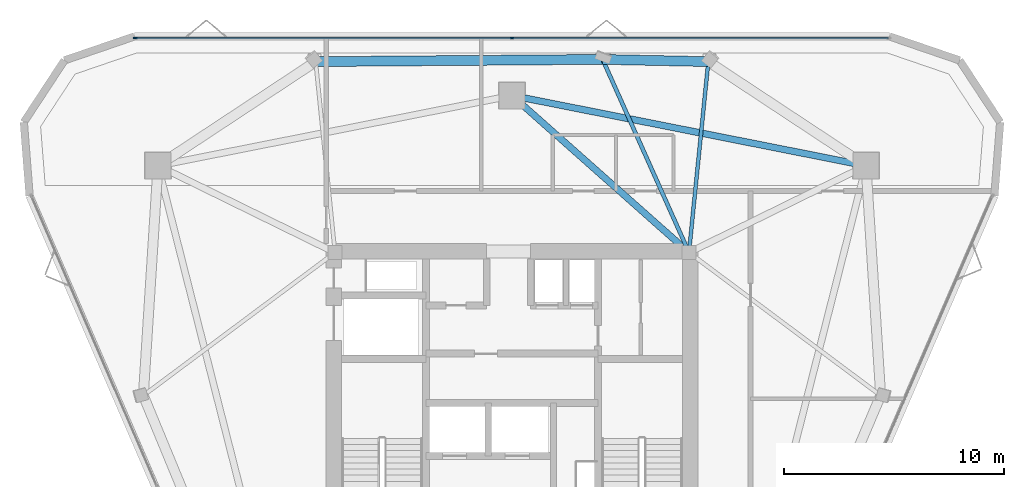
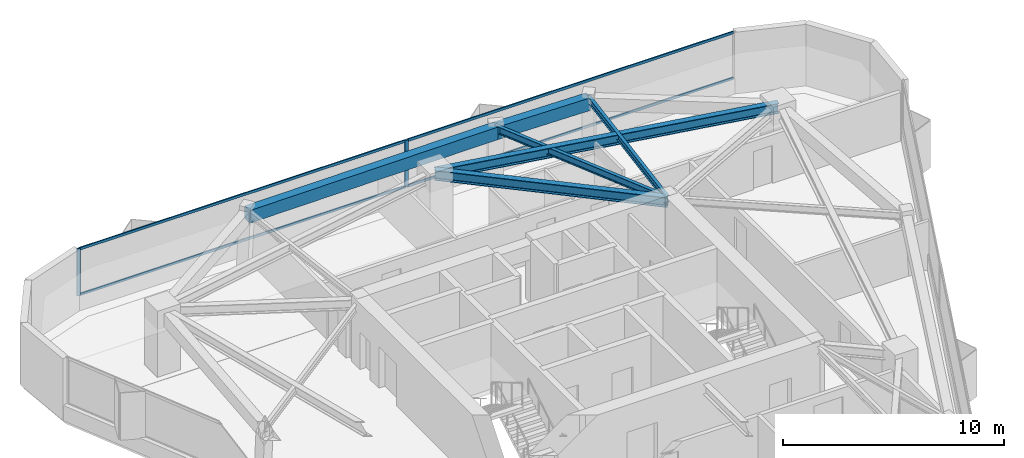
# One storey, part 6 of 12: 6 beams, 6 members, 1 element without a shape of its own.
"""IFC4 building model written with IfcOpenShell, lengths in metres."""

from ifc_helpers import new_model, si_unit, direction, frame, origin, origin_2d, place, context, subcontext, project, spatial, rectangle, i_section, extrude, material, layer, layer_set, material_profile, profile_set, type_object, element, aggregate, save


model = new_model("IFC4")

# Units and contexts
model_context = context("Model", 3, precision=1e-05, world=origin(), true_north=direction((0.0, 1.0)))
body_context = subcontext(model_context, "Body", "Model", "MODEL_VIEW")
ifc_project = project(units=[si_unit("LENGTHUNIT", "METRE"), si_unit("AREAUNIT", "SQUARE_METRE"), si_unit("VOLUMEUNIT", "CUBIC_METRE"), si_unit("PLANEANGLEUNIT", "RADIAN"), si_unit("MASSUNIT", "GRAM", prefix="KILO")], contexts=[model_context])

# Site, building, storey
site_placement = place(None, origin())
site = spatial("IfcSite", under=ifc_project, at=site_placement, CompositionType="ELEMENT")
building_placement = place(site_placement, origin())
building = spatial("IfcBuilding", under=site, at=building_placement, Name="Talyreon Biosciences Tower", CompositionType="ELEMENT")
storey_placement = place(building_placement, frame((0.0, 0.0, 268.10009765625)))
storey = spatial("IfcBuildingStorey", under=building, at=storey_placement, Name="L71", CompositionType="ELEMENT", Elevation=268.10009765625)

# Curtain wall, members
ifc_material_1 = material(Name="Thermally broken aluminium and low-E glazing", Category="aluminium")
ifc_layer = layer(ifc_material_1, 0.175048828125)
ifc_layer_set = layer_set([ifc_layer], Name="Thermally broken aluminium and low-E glazing")
curtain_wall_type = type_object("IfcCurtainWallType", Name="CurtainWall_Zone5CompLab", PredefinedType="NOTDEFINED", material=ifc_layer_set)
curtain_wall_placement = place(storey_placement, origin())
curtain_wall = element("IfcCurtainWall", 1, at=curtain_wall_placement, inside=storey, type_object=curtain_wall_type, Name="L71 Unitised Curtain Wall FCW-L71-04", PredefinedType="NOTDEFINED")
ifc_material_2 = material(Name="Anodised thermally broken aluminium", Category="aluminium")
ifc_material_profile_1 = material_profile(ifc_material_2, rectangle(XDim=0.06494140625, YDim=0.179931640625, at=origin_2d()), Name="ALUM MULLION 65x180")
ifc_profile_set_1 = profile_set([ifc_material_profile_1], Name="Anodised thermally broken aluminium")
member_type_1 = type_object("IfcMemberType", Name="CWMullion_65x180", PredefinedType="MULLION", material=ifc_profile_set_1)
member_1_placement = place(storey_placement, frame((48.859375, 84.404052734375, 0.809814453125), z_axis=(0.0, 0.0, 1.0), x_axis=(0.0, 1.0, 0.0)))
member_1 = element("IfcMember", 2, at=member_1_placement, type_object=member_type_1, Name="CW6 mullion 1", PredefinedType="MULLION", context=body_context, shape_type="SweptSolid", body=[
    extrude(rectangle(XDim=0.06494140625, YDim=0.179931640625, at=origin_2d()), origin(), (0.0, 0.0, 1.0), 2.590087890625),
])
member_2_placement = place(storey_placement, frame((66.0, 84.404052734375, 0.809814453125), z_axis=(0.0, 0.0, 1.0), x_axis=(0.0, 1.0, 0.0)))
member_2 = element("IfcMember", 3, at=member_2_placement, type_object=member_type_1, Name="CW6 mullion 2", PredefinedType="MULLION", context=body_context, shape_type="SweptSolid", body=[
    extrude(rectangle(XDim=0.06494140625, YDim=0.179931640625, at=origin_2d()), origin(), (0.0, 0.0, 1.0), 2.590087890625),
])
ifc_material_profile_2 = material_profile(ifc_material_2, rectangle(XDim=0.06494140625, YDim=0.139892578125, at=origin_2d()), Name="ALUM TRANSOM 65x140")
ifc_profile_set_2 = profile_set([ifc_material_profile_2], Name="Anodised thermally broken aluminium")
member_type_2 = type_object("IfcMemberType", Name="CWTransom_65x140", PredefinedType="USERDEFINED", material=ifc_profile_set_2)
member_3_placement = place(storey_placement, frame((48.891845703125, 84.404052734375, 0.84228515625), z_axis=(1.0, 0.0, 0.0), x_axis=(0.0, 1.0, 0.0)))
member_3 = element("IfcMember", 4, at=member_3_placement, type_object=member_type_2, Name="CW6 transom 1.1", ObjectType="TRANSOM", PredefinedType="USERDEFINED", context=body_context, shape_type="SweptSolid", body=[
    extrude(rectangle(XDim=0.06494140625, YDim=0.139892578125, at=origin_2d()), origin(), (0.0, 0.0, 1.0), 17.07568359375),
])
member_4_placement = place(storey_placement, frame((48.891845703125, 84.404052734375, 3.367431640625), z_axis=(1.0, 0.0, 0.0), x_axis=(0.0, 1.0, 0.0)))
member_4 = element("IfcMember", 5, at=member_4_placement, type_object=member_type_2, Name="CW6 transom 1.2", ObjectType="TRANSOM", PredefinedType="USERDEFINED", context=body_context, shape_type="SweptSolid", body=[
    extrude(rectangle(XDim=0.06494140625, YDim=0.139892578125, at=origin_2d()), origin(), (0.0, 0.0, 1.0), 17.07568359375),
])
member_5_placement = place(storey_placement, frame((66.032470703125, 84.404052734375, 0.84228515625), z_axis=(1.0, 0.0, 0.0), x_axis=(0.0, 1.0, 0.0)))
member_5 = element("IfcMember", 6, at=member_5_placement, type_object=member_type_2, Name="CW6 transom 2.1", ObjectType="TRANSOM", PredefinedType="USERDEFINED", context=body_context, shape_type="SweptSolid", body=[
    extrude(rectangle(XDim=0.06494140625, YDim=0.139892578125, at=origin_2d()), origin(), (0.0, 0.0, 1.0), 17.07568359375),
])
member_6_placement = place(storey_placement, frame((66.032470703125, 84.404052734375, 3.367431640625), z_axis=(1.0, 0.0, 0.0), x_axis=(0.0, 1.0, 0.0)))
member_6 = element("IfcMember", 7, at=member_6_placement, type_object=member_type_2, Name="CW6 transom 2.2", ObjectType="TRANSOM", PredefinedType="USERDEFINED", context=body_context, shape_type="SweptSolid", body=[
    extrude(rectangle(XDim=0.06494140625, YDim=0.139892578125, at=origin_2d()), origin(), (0.0, 0.0, 1.0), 17.07568359375),
])
aggregate(curtain_wall, [member_1, member_2, member_3, member_4, member_5, member_6])

# Beams
ifc_material_3 = material(Name="Precast concrete C45/55", Category="concrete")
ifc_material_profile_3 = material_profile(ifc_material_3, rectangle(XDim=0.449951171875, YDim=0.699951171875, at=origin_2d()), Name="RCB 450x700")
ifc_profile_set_3 = profile_set([ifc_material_profile_3], Name="Precast concrete C45/55")
beam_type_1 = type_object("IfcBeamType", Name="ExpressedSpandrel_450x700", PredefinedType="SPANDREL", material=ifc_profile_set_3)
beam_1_placement = place(storey_placement, frame((74.929931640625, 83.333984375, 3.0498046875), z_axis=(-0.999783386949, 0.020812957027, 0.0), x_axis=(-0.020812957027, -0.999783386949, 0.0)))
element("IfcBeam", 8, at=beam_1_placement, inside=storey, type_object=beam_type_1, Name="L71 Expressed Horizontal Concrete Spandrel 06", PredefinedType="SPANDREL", context=body_context, shape_type="SweptSolid", body=[
    extrude(rectangle(XDim=0.449951171875, YDim=0.699951171875, at=origin_2d()), origin(), (0.0, 0.0, 1.0), 4.809326171875),
])
beam_2_placement = place(storey_placement, frame((70.12158203125, 83.43408203125, 3.0498046875), z_axis=(-0.999970591227, -0.00766920336, 0.0), x_axis=(0.00766920336, -0.999970591227, 0.0)))
element("IfcBeam", 9, at=beam_2_placement, inside=storey, type_object=beam_type_1, Name="L71 Expressed Horizontal Concrete Spandrel 07", PredefinedType="SPANDREL", context=body_context, shape_type="SweptSolid", body=[
    extrude(rectangle(XDim=0.449951171875, YDim=0.699951171875, at=origin_2d()), origin(), (0.0, 0.0, 1.0), 13.052001953125),
])
ifc_material_4 = material(Name="Steel SM355", Category="steel")
ifc_material_profile_4 = material_profile(ifc_material_4, i_section(OverallWidth=0.300048828125, OverallDepth=0.550048828125, WebThickness=0.014892578125, FlangeThickness=0.029052734375, FilletRadius=0.027099609375, at=origin_2d()), Name="HE550B")
ifc_profile_set_4 = profile_set([ifc_material_profile_4], Name="Steel SM355")
beam_type_2 = type_object("IfcBeamType", Name="SteelBeam_HE550B", PredefinedType="BEAM", material=ifc_profile_set_4)
beam_3_placement = place(storey_placement, frame((82.102294921875, 78.5986328125, 3.125), z_axis=(-0.980933730698, 0.194342522311, 0.0), x_axis=(-0.194342522311, -0.980933730698, 0.0)))
element("IfcBeam", 10, at=beam_3_placement, inside=storey, type_object=beam_type_2, Name="L71 Mega-Ring Girder 3", PredefinedType="BEAM", context=body_context, shape_type="SweptSolid", body=[
    extrude(i_section(OverallWidth=0.300048828125, OverallDepth=0.550048828125, WebThickness=0.014892578125, FlangeThickness=0.029052734375, FilletRadius=0.027099609375, at=origin_2d()), origin(), (0.0, 0.0, 1.0), 16.415283203125),
])
beam_4_placement = place(storey_placement, frame((74.050048828125, 74.64990234375, 3.125), z_axis=(-0.748178733955, 0.663497235908, 0.0), x_axis=(-0.663497235908, -0.748178733955, 0.0)))
element("IfcBeam", 11, at=beam_4_placement, inside=storey, type_object=beam_type_2, Name="L71 Radial Primary Girder 4", PredefinedType="BEAM", context=body_context, shape_type="SweptSolid", body=[
    extrude(i_section(OverallWidth=0.300048828125, OverallDepth=0.550048828125, WebThickness=0.014892578125, FlangeThickness=0.029052734375, FilletRadius=0.027099609375, at=origin_2d()), origin(), (0.0, 0.0, 1.0), 10.759521484375),
])
ifc_material_profile_5 = material_profile(ifc_material_4, i_section(OverallWidth=0.169921875, OverallDepth=0.360107421875, WebThickness=0.008056640625, FlangeThickness=0.0126953125, FilletRadius=0.01806640625, at=origin_2d()), Name="IPE360")
ifc_profile_set_5 = profile_set([ifc_material_profile_5], Name="Steel SM355")
beam_type_3 = type_object("IfcBeamType", Name="SteelJoist_IPE360", PredefinedType="JOIST", material=ifc_profile_set_5)
beam_5_placement = place(storey_placement, frame((74.050048828125, 74.64990234375, 3.219970703125), z_axis=(0.100805225522, 0.994906179751, 0.0), x_axis=(-0.994906179751, 0.100805225522, 0.0)))
element("IfcBeam", 12, at=beam_5_placement, inside=storey, type_object=beam_type_3, Name="L71 Radial Composite Floor Joist PC-N1", PredefinedType="JOIST", context=body_context, shape_type="SweptSolid", body=[
    extrude(i_section(OverallWidth=0.169921875, OverallDepth=0.360107421875, WebThickness=0.008056640625, FlangeThickness=0.0126953125, FilletRadius=0.01806640625, at=origin_2d()), origin(), (0.0, 0.0, 1.0), 8.728515625),
])
ifc_material_profile_6 = material_profile(ifc_material_4, i_section(OverallWidth=0.179931640625, OverallDepth=0.39990234375, WebThickness=0.008544921875, FlangeThickness=0.013427734375, FilletRadius=0.02099609375, at=origin_2d()), Name="IPE400")
ifc_profile_set_6 = profile_set([ifc_material_profile_6], Name="Steel SM355")
beam_type_4 = type_object("IfcBeamType", Name="SteelJoist_IPE400", PredefinedType="JOIST", material=ifc_profile_set_6)
beam_6_placement = place(storey_placement, frame((74.050048828125, 74.64990234375, 3.199951171875), z_axis=(-0.4082536784, 0.912868519598, 0.0), x_axis=(-0.912868519598, -0.4082536784, 0.0)))
element("IfcBeam", 13, at=beam_6_placement, inside=storey, type_object=beam_type_4, Name="L71 Radial Composite Floor Joist PL-N", PredefinedType="JOIST", context=body_context, shape_type="SweptSolid", body=[
    extrude(i_section(OverallWidth=0.179931640625, OverallDepth=0.39990234375, WebThickness=0.008544921875, FlangeThickness=0.013427734375, FilletRadius=0.02099609375, at=origin_2d()), origin(), (0.0, 0.0, 1.0), 9.62255859375),
])

save(model, "model.ifc")
